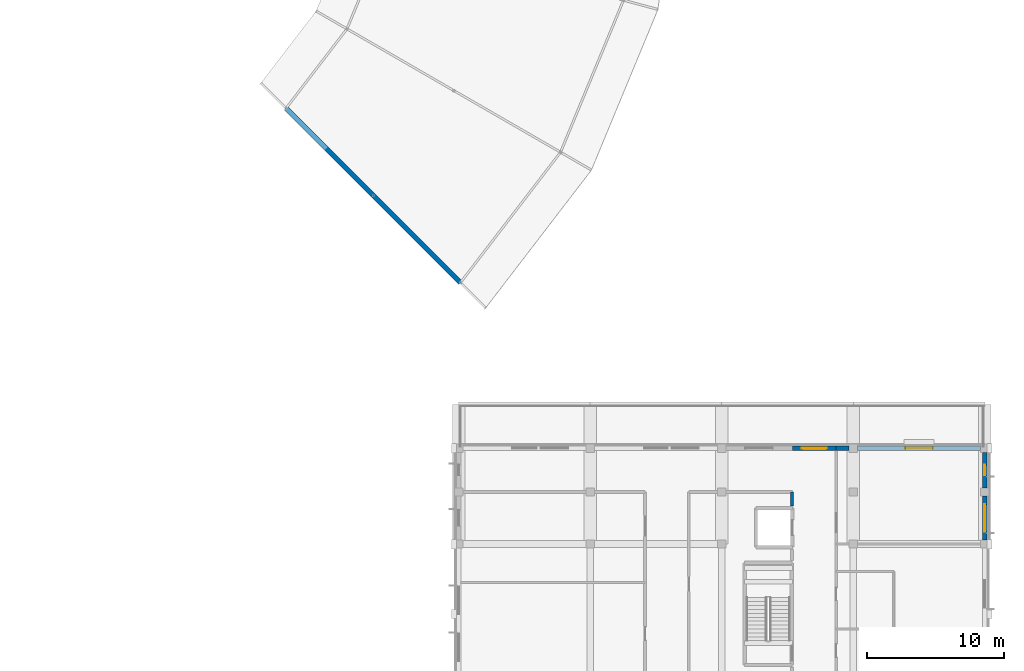
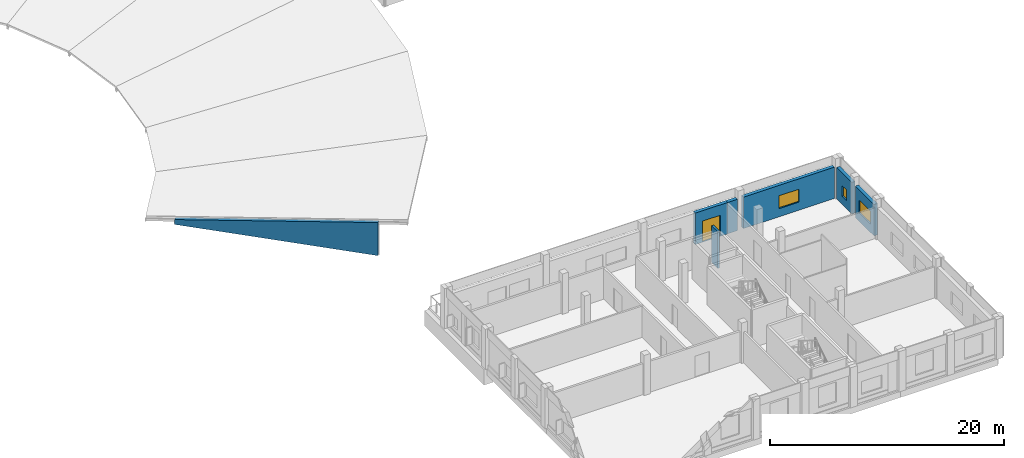
# One storey, part 186 of 200: 7 walls, 3 windows, 1 door, 4 openings.
"""IFC4 building model written with IfcOpenShell, lengths in metres."""

from ifc_helpers import new_model, si_unit, direction, frame, frame_2d, origin, place, context, subcontext, project, spatial, polyline, rectangle, outline, extrude, material, layer, layer_set, type_object, element, fill, save


model = new_model("IFC4")

# Units and contexts
model_context = context("Model", 3, precision=1e-05, world=origin(), true_north=direction((0.0, 1.0)))
body_context = subcontext(model_context, "Body", "Model", "MODEL_VIEW")
ifc_project = project(units=[si_unit("LENGTHUNIT", "METRE"), si_unit("AREAUNIT", "SQUARE_METRE"), si_unit("VOLUMEUNIT", "CUBIC_METRE"), si_unit("PLANEANGLEUNIT", "RADIAN"), si_unit("MASSUNIT", "GRAM", prefix="KILO")], contexts=[model_context])

# Site, building, storey
site_placement = place(None, origin())
site = spatial("IfcSite", under=ifc_project, at=site_placement, CompositionType="ELEMENT")
building_placement = place(site_placement, origin())
building = spatial("IfcBuilding", under=site, at=building_placement, Name="Vondelvale Polytechnic", CompositionType="ELEMENT")
storey_placement = place(building_placement, frame((0.0, 0.0, 13.800048828125)))
storey = spatial("IfcBuildingStorey", under=building, at=storey_placement, Name="L03", CompositionType="ELEMENT", Elevation=13.800048828125)

# Wall, opening, window
ifc_material_1 = material(Name="Amsterdam School iron-spot clinker clay brickwork", Category="masonry")
ifc_layer_1 = layer(ifc_material_1, 0.340087890625)
ifc_layer_set_1 = layer_set([ifc_layer_1], Name="WL-BRICK-340")
wall_type_1 = type_object("IfcWallType", Name="WL-BRICK-340", PredefinedType="SOLIDWALL", material=ifc_layer_set_1)
wall_1_placement = place(storey_placement, frame((172.800048828125, 27.09912109375, 0.0), z_axis=(0.0, 0.0, 1.0), x_axis=(0.0, -1.0, 0.0)))
wall_1 = element("IfcWall", 1, at=wall_1_placement, inside=storey, type_object=wall_type_1, Name="L03 exterior masonry facade wall", PredefinedType="SOLIDWALL", context=body_context, shape_type="SweptSolid", body=[
    extrude(rectangle(XDim=2.59814453125, YDim=0.340087890625, at=frame_2d((1.299072265625, 0.0))), origin(), (0.0, 0.0, 1.0), 3.280029296875),
])
opening_1_placement = place(wall_1_placement, frame((0.924072265625, 0.0, 0.85009765625)))
opening_1 = element("IfcOpeningElement", 2, at=opening_1_placement, cuts=wall_1, Name="Opening WN-0410", PredefinedType="OPENING", context=body_context, shape_type="SweptSolid", body=[
    extrude(rectangle(XDim=0.75, YDim=1.10009765625, at=frame_2d((0.375, 0.550048828125))), frame((0.0, 0.179931640625, 0.0), z_axis=(0.0, -1.0, 0.0), x_axis=(1.0, 0.0, 0.0)), (0.0, 0.0, 1.0), 0.360107421875),
])
ifc_material_2 = material(Name="Double-glazed low-E insulated architectural glass", Category="glass")
window_type_1 = type_object("IfcWindowType", Name="WN-WC-0750x1100", PartitioningType="SINGLE_PANEL", PredefinedType="WINDOW", material=ifc_material_2)
window_1_placement = place(opening_1_placement, origin())
window_1 = element("IfcWindow", 3, at=window_1_placement, inside=storey, type_object=window_type_1, Name="L03 double-glazed architectural window WN-0410", OverallHeight=1.10009765625, OverallWidth=0.75, PartitioningType="SINGLE_PANEL", PredefinedType="WINDOW", context=body_context, shape_type="SweptSolid", body=[
    extrude(rectangle(XDim=0.75, YDim=1.10009765625, at=frame_2d((0.375, 0.550048828125))), frame((0.0, 0.030029296875, 0.0), z_axis=(0.0, -1.0, 0.0), x_axis=(1.0, 0.0, 0.0)), (0.0, 0.0, 1.0), 0.06005859375),
])
fill(opening_1, window_1)

wall_2_placement = place(storey_placement, frame((172.800048828125, 23.89892578125, 0.0), z_axis=(0.0, 0.0, 1.0), x_axis=(0.0, -1.0, 0.0)))
wall_2 = element("IfcWall", 4, at=wall_2_placement, inside=storey, type_object=wall_type_1, Name="L03 exterior masonry facade wall", PredefinedType="SOLIDWALL", context=body_context, shape_type="SweptSolid", body=[
    extrude(rectangle(XDim=3.197998046875, YDim=0.340087890625, at=frame_2d((1.59912109375, 0.0))), origin(), (0.0, 0.0, 1.0), 3.280029296875),
])
opening_2_placement = place(wall_2_placement, frame((0.59912109375, 0.0, 0.85009765625)))
opening_2 = element("IfcOpeningElement", 5, at=opening_2_placement, cuts=wall_2, Name="Opening WN-0411", PredefinedType="OPENING", context=body_context, shape_type="SweptSolid", body=[
    extrude(rectangle(XDim=2.0, YDim=1.35009765625, at=frame_2d((1.0, 0.675048828125))), frame((0.0, 0.179931640625, 0.0), z_axis=(0.0, -1.0, 0.0), x_axis=(1.0, 0.0, 0.0)), (0.0, 0.0, 1.0), 0.360107421875),
])
window_type_2 = type_object("IfcWindowType", Name="WN-RIB-2000x1350", PartitioningType="SINGLE_PANEL", PredefinedType="WINDOW", material=ifc_material_2)
window_2_placement = place(opening_2_placement, origin())
window_2 = element("IfcWindow", 6, at=window_2_placement, inside=storey, type_object=window_type_2, Name="L03 double-glazed architectural window WN-0411", OverallHeight=1.35009765625, OverallWidth=2.0, PartitioningType="SINGLE_PANEL", PredefinedType="WINDOW", context=body_context, shape_type="SweptSolid", body=[
    extrude(rectangle(XDim=2.0, YDim=1.35009765625, at=frame_2d((1.0, 0.675048828125))), frame((0.0, 0.030029296875, 0.0), z_axis=(0.0, -1.0, 0.0), x_axis=(1.0, 0.0, 0.0)), (0.0, 0.0, 1.0), 0.06005859375),
])
fill(opening_2, window_2)

# Wall, opening, door
wall_3_placement = place(storey_placement, frame((158.75, 27.39990234375, 0.0), z_axis=(0.0, 0.0, 1.0), x_axis=(1.0, 0.0, 0.0)))
wall_3 = element("IfcWall", 7, at=wall_3_placement, inside=storey, type_object=wall_type_1, Name="L03 exterior masonry facade wall", PredefinedType="SOLIDWALL", context=body_context, shape_type="SweptSolid", body=[
    extrude(rectangle(XDim=3.199951171875, YDim=0.340087890625, at=frame_2d((1.60009765625, 0.0))), origin(), (0.0, 0.0, 1.0), 3.280029296875),
])
opening_3_placement = place(wall_3_placement, frame((0.699951171875, 0.0, 0.0)))
opening_3 = element("IfcOpeningElement", 8, at=opening_3_placement, cuts=wall_3, Name="Opening ED-024", PredefinedType="OPENING", context=body_context, shape_type="SweptSolid", body=[
    extrude(rectangle(XDim=1.800048828125, YDim=2.199951171875, at=frame_2d((0.89990234375, 1.10009765625))), frame((0.0, 0.179931640625, 0.0), z_axis=(0.0, -1.0, 0.0), x_axis=(1.0, 0.0, 0.0)), (0.0, 0.0, 1.0), 0.360107421875),
])
ifc_material_3 = material(Name="Anodised extruded aluminium 6063-T6", Category="aluminium")
door_type = type_object("IfcDoorType", Name="DR-TER-1800x2200", OperationType="DOUBLE_DOOR_SINGLE_SWING", PredefinedType="DOOR", material=ifc_material_3)
door_placement = place(opening_3_placement, origin())
door = element("IfcDoor", 9, at=door_placement, inside=storey, type_object=door_type, Name="L03 exterior entrance/exit door ED-024", OperationType="DOUBLE_DOOR_SINGLE_SWING", OverallHeight=2.199951171875, OverallWidth=1.800048828125, PredefinedType="DOOR", context=body_context, shape_type="SweptSolid", body=[
    extrude(rectangle(XDim=1.800048828125, YDim=2.199951171875, at=frame_2d((0.89990234375, 1.10009765625))), frame((0.0, 0.02490234375, 0.0), z_axis=(0.0, -1.0, 0.0), x_axis=(1.0, 0.0, 0.0)), (0.0, 0.0, 1.0), 0.050048828125),
])
fill(opening_3, door)

# Wall
wall_4_placement = place(storey_placement, frame((161.949951171875, 27.39990234375, 0.0), z_axis=(0.0, 0.0, 1.0), x_axis=(1.0, 0.0, 0.0)))
element("IfcWall", 10, at=wall_4_placement, inside=storey, type_object=wall_type_1, Name="L03 exterior masonry facade wall", PredefinedType="SOLIDWALL", context=body_context, shape_type="SweptSolid", body=[
    extrude(rectangle(XDim=0.948974609375, YDim=0.340087890625, at=frame_2d((0.474609375, 0.0))), origin(), (0.0, 0.0, 1.0), 3.280029296875),
])

# Wall, opening, window
wall_5_placement = place(storey_placement, frame((163.5009765625, 27.39990234375, 0.0), z_axis=(0.0, 0.0, 1.0), x_axis=(1.0, 0.0, 0.0)))
wall_5 = element("IfcWall", 11, at=wall_5_placement, inside=storey, type_object=wall_type_1, Name="L03 exterior masonry facade wall", PredefinedType="SOLIDWALL", context=body_context, shape_type="SweptSolid", body=[
    extrude(rectangle(XDim=8.998046875, YDim=0.340087890625, at=frame_2d((4.4990234375, 0.0))), origin(), (0.0, 0.0, 1.0), 3.280029296875),
])
opening_4_placement = place(wall_5_placement, frame((3.4990234375, 0.0, 0.85009765625)))
opening_4 = element("IfcOpeningElement", 12, at=opening_4_placement, cuts=wall_5, Name="Opening WN-0415", PredefinedType="OPENING", context=body_context, shape_type="SweptSolid", body=[
    extrude(rectangle(XDim=2.0, YDim=1.35009765625, at=frame_2d((1.0, 0.675048828125))), frame((0.0, 0.179931640625, 0.0), z_axis=(0.0, -1.0, 0.0), x_axis=(1.0, 0.0, 0.0)), (0.0, 0.0, 1.0), 0.360107421875),
])
window_3_placement = place(opening_4_placement, origin())
window_3 = element("IfcWindow", 13, at=window_3_placement, inside=storey, type_object=window_type_2, Name="L03 double-glazed architectural window WN-0415", OverallHeight=1.35009765625, OverallWidth=2.0, PartitioningType="SINGLE_PANEL", PredefinedType="WINDOW", context=body_context, shape_type="SweptSolid", body=[
    extrude(rectangle(XDim=2.0, YDim=1.35009765625, at=frame_2d((1.0, 0.675048828125))), frame((0.0, 0.030029296875, 0.0), z_axis=(0.0, -1.0, 0.0), x_axis=(1.0, 0.0, 0.0)), (0.0, 0.0, 1.0), 0.06005859375),
])
fill(opening_4, window_3)

# Walls
ifc_layer_2 = layer(ifc_material_1, 0.35009765625)
ifc_layer_set_2 = layer_set([ifc_layer_2], Name="WL-BRICK-350")
wall_type_2 = type_object("IfcWallType", Name="WL-BRICK-350", PredefinedType="SOLIDWALL", material=ifc_layer_set_2)
wall_6_placement = place(storey_placement, frame((121.799072265625, 52.200927734375, 0.02001953125), z_axis=(0.0, 0.0, 1.0), x_axis=(0.707106781187, -0.707106781187, 0.0)))
element("IfcWall", 14, at=wall_6_placement, inside=storey, type_object=wall_type_2, Name="Ring stepped roof transition brick gable R21", PredefinedType="SOLIDWALL", context=body_context, shape_type="SweptSolid", body=[
    extrude(outline(polyline([(0.0, 0.0), (17.999755859375, 0.0), (18.0, 3.451416015625), (0.0, 0.503173828125), (0.0, 0.0)])), frame((0.0, 0.175048828125, 0.0), z_axis=(0.0, -1.0, 0.0), x_axis=(1.0, 0.0, 0.0)), (0.0, 0.0, 1.0), 0.35009765625),
])
ifc_material_4 = material(Name="Fire-rated double-layer plasterboard stud partition")
ifc_layer_3 = layer(ifc_material_4, 0.199951171875)
ifc_layer_set_3 = layer_set([ifc_layer_3], Name="WL-CORR-200")
wall_type_3 = type_object("IfcWallType", Name="WL-CORR-200", PredefinedType="PARTITIONING", material=ifc_layer_set_3)
wall_7_placement = place(storey_placement, frame((158.72509765625, 23.18994140625, 0.0), z_axis=(0.0, 0.0, 1.0), x_axis=(0.0, 1.0, 0.0)))
element("IfcWall", 15, at=wall_7_placement, inside=storey, type_object=wall_type_3, Name="L03 interior acoustic partition", PredefinedType="PARTITIONING", context=body_context, shape_type="SweptSolid", body=[
    extrude(rectangle(XDim=1.010009765625, YDim=0.199951171875, at=frame_2d((0.5048828125, 0.0))), origin(), (0.0, 0.0, 1.0), 3.849853515625),
])

save(model, "model.ifc")
